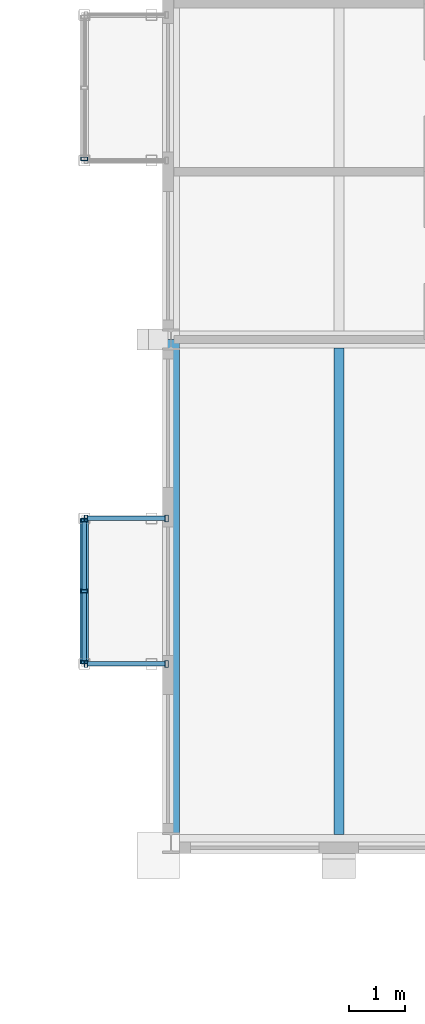
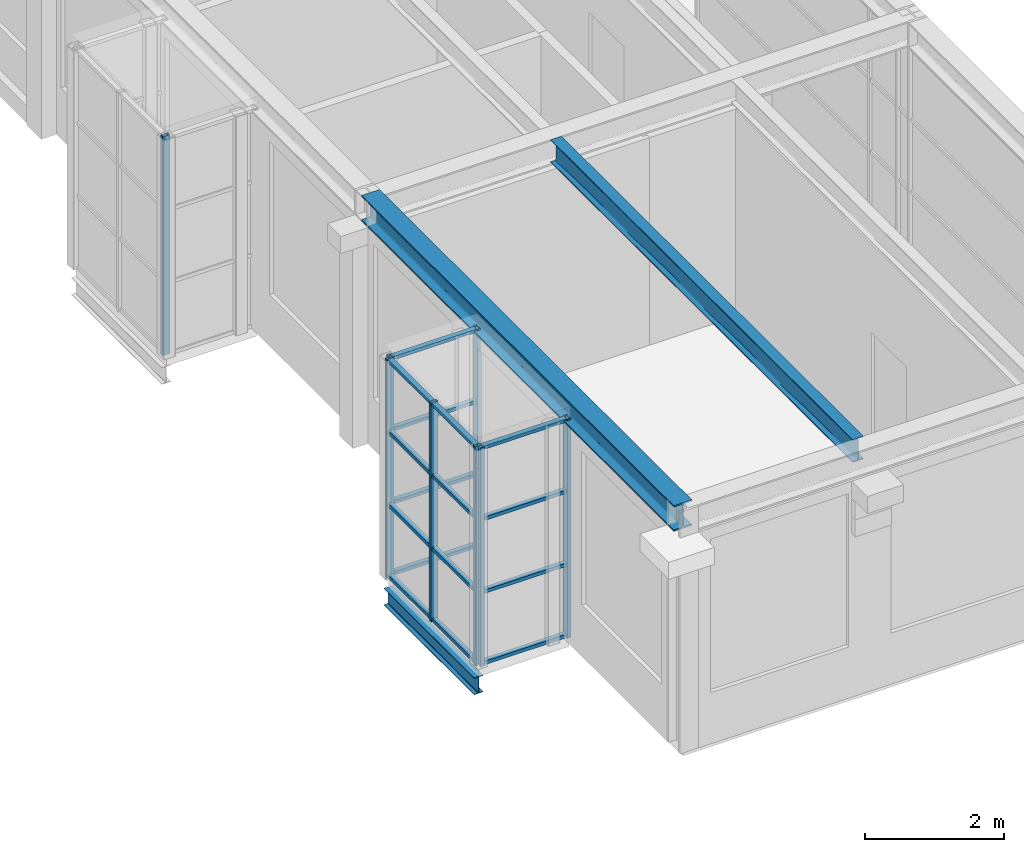
# One storey, part 17 of 111: 24 members, 3 beams, 4 elements without a shape of their own.
"""IFC4 building model written with IfcOpenShell, lengths in metres."""

import ifcopenshell
import ifcopenshell.guid

model = None  # the IFC model being written
_history = None  # IfcOwnerHistory: only IFC2X3 demands one
_inside = {}  # id of a spatial element -> (the spatial element, [elements in it])
_under = {}  # id of a project, library or spatial element -> (it, [spatial elements below it])
_declared = {}  # id of a project -> (the project, [libraries it declares])
_typed = {}  # id of a type object -> (the type object, [elements of that type])
_made_of = {}  # id of a material, layer set ... -> (it, [elements and type objects made of it])


def new_model(schema):
    """Start an empty IFC model of exactly this schema.

    Asked for "IFC4X3", IfcOpenShell would pick the latest addendum, in which some entities
    have other attributes; the version numbers below select the first issue.
    IFC2X3 requires an IfcOwnerHistory on every rooted entity: one is made here for all.
    """
    global model, _history
    if schema == "IFC4X3":
        model = ifcopenshell.file(schema_version=(4, 3, 0, 0))
    else:
        model = ifcopenshell.file(schema=schema)
    _inside.clear()
    _under.clear()
    _declared.clear()
    _typed.clear()
    _made_of.clear()
    _history = None
    if model.schema == "IFC2X3":
        org = make("IfcOrganization", Name="unknown")
        user = make(
            "IfcPersonAndOrganization",
            ThePerson=make("IfcPerson", FamilyName="unknown"),
            TheOrganization=org,
        )
        app = make(
            "IfcApplication",
            ApplicationDeveloper=org,
            Version="unknown",
            ApplicationFullName="unknown",
            ApplicationIdentifier="unknown",
        )
        _history = make(
            "IfcOwnerHistory",
            OwningUser=user,
            OwningApplication=app,
            ChangeAction="ADDED",
            CreationDate=0,
        )
    return model


def make(cls, **values):
    """One entity of the class cls with the attributes given. An attribute that is None is left unset."""
    return model.create_entity(
        cls, **{name: value for name, value in values.items() if value is not None}
    )


def rooted(cls, **values):
    """An entity with a GlobalId (a new one), such as an element, a storey or a relation."""
    return make(cls, GlobalId=ifcopenshell.guid.new(), OwnerHistory=_history, **values)


def si_unit(unit_type, name, prefix=None):
    """IfcSIUnit, for example si_unit("LENGTHUNIT", "METRE", prefix="MILLI")."""
    return make("IfcSIUnit", UnitType=unit_type, Prefix=prefix, Name=name)


def assignment(units):
    """IfcUnitAssignment: the units of a project."""
    return None if units is None else make("IfcUnitAssignment", Units=units)


def point(xyz):
    """IfcCartesianPoint."""
    return None if xyz is None else make("IfcCartesianPoint", Coordinates=xyz)


def direction(xyz):
    """IfcDirection."""
    return None if xyz is None else make("IfcDirection", DirectionRatios=xyz)


def frame(location, z_axis=None, x_axis=None):
    """IfcAxis2Placement3D, a coordinate frame: its origin and axes. An axis left out is left unset."""
    return make(
        "IfcAxis2Placement3D",
        Location=point(location),
        Axis=direction(z_axis),
        RefDirection=direction(x_axis),
    )


def frame_2d(location, x_axis=None):
    """IfcAxis2Placement2D, a coordinate frame in the plane: its origin and x axis."""
    return make(
        "IfcAxis2Placement2D", Location=point(location), RefDirection=direction(x_axis)
    )


def origin():
    """The frame at (0, 0, 0) with its axes left unset."""
    return frame((0.0, 0.0, 0.0))


def origin_2d():
    """The frame at (0, 0) in the plane with its x axis left unset."""
    return frame_2d((0.0, 0.0))


def place(relative_to, where):
    """IfcLocalPlacement: puts the frame where relative to a parent placement (None: the world)."""
    return make(
        "IfcLocalPlacement", PlacementRelTo=relative_to, RelativePlacement=where
    )


def context(
    kind, dimensions, precision=None, world=None, true_north=None, identifier=None
):
    """IfcGeometricRepresentationContext, for example the 3D "Model" context."""
    return make(
        "IfcGeometricRepresentationContext",
        ContextIdentifier=identifier,
        ContextType=kind,
        CoordinateSpaceDimension=dimensions,
        Precision=precision,
        WorldCoordinateSystem=world,
        TrueNorth=true_north,
    )


def subcontext(parent, identifier, kind, view, scale=None):
    """IfcGeometricRepresentationSubContext, for example "Body" below "Model"."""
    return make(
        "IfcGeometricRepresentationSubContext",
        ContextIdentifier=identifier,
        ContextType=kind,
        ParentContext=parent,
        TargetScale=scale,
        TargetView=view,
    )


def project(units=None, contexts=None):
    """IfcProject with its units and contexts."""
    return rooted(
        "IfcProject",
        Name="project",
        RepresentationContexts=contexts,
        UnitsInContext=assignment(units),
    )


def spatial(cls, under=None, at=None, **own):
    """A site, building, storey or space (cls), placed at a placement, below another one or the project."""
    s = rooted(cls, ObjectPlacement=at, **own)
    if under is not None:
        _under.setdefault(under.id(), (under, []))[1].append(s)
    return s


def profile(cls, at=None, kind="AREA", **sizes):
    """A parametric profile (cls). Its sizes go by their IFC names, for example OverallWidth=200.0."""
    return make(cls, ProfileType=kind, Position=at, **sizes)


def hollow_rectangle(**sizes):
    """IfcRectangleHollowProfileDef."""
    return profile("IfcRectangleHollowProfileDef", **sizes)


def i_section(**sizes):
    """IfcIShapeProfileDef."""
    return profile("IfcIShapeProfileDef", **sizes)


def extrude(swept, where, along, depth):
    """IfcExtrudedAreaSolid: the profile swept, set in the frame where, extruded along a direction by depth."""
    return make(
        "IfcExtrudedAreaSolid",
        SweptArea=swept,
        Position=where,
        ExtrudedDirection=direction(along),
        Depth=depth,
    )


def shape(context_of_items, identifier, shape_type, items):
    """IfcShapeRepresentation: the items that make up one representation, for example the "Body"."""
    return make(
        "IfcShapeRepresentation",
        ContextOfItems=context_of_items,
        RepresentationIdentifier=identifier,
        RepresentationType=shape_type,
        Items=items,
    )


def material(Name=None, Category=None):
    """IfcMaterial."""
    return make("IfcMaterial", Name=Name, Category=Category)


def material_profile(
    of_material, cross_section, Name=None, Category=None, Priority=None
):
    """IfcMaterialProfile: a cross section and its material."""
    return make(
        "IfcMaterialProfile",
        Name=Name,
        Material=of_material,
        Profile=cross_section,
        Priority=Priority,
        Category=Category,
    )


def profile_set(profiles, Name=None, composite=None):
    """IfcMaterialProfileSet."""
    return make(
        "IfcMaterialProfileSet",
        Name=Name,
        MaterialProfiles=profiles,
        CompositeProfile=composite,
    )


def made_of(thing, what):
    """Note that an element or type object is made of a material, layer set ...; save() writes the relation."""
    if what is not None:
        _made_of.setdefault(what.id(), (what, []))[1].append(thing)
    return thing


def type_object(cls, material=None, **own):
    """A type object (cls), such as IfcWallType, which elements share."""
    return made_of(rooted(cls, **own), material)


def element(
    cls,
    number,
    at=None,
    inside=None,
    cuts=None,
    type_object=None,
    material=None,
    context=None,
    identifier="Body",
    shape_type=None,
    held_by="IfcProductDefinitionShape",
    body=None,
    shapes=None,
    **own,
):
    """One element of the class cls, such as IfcWall. Its Tag is "e" and its number.

    at: its placement. inside: the storey or other place that contains it. cuts: it is an
    opening in that element (IfcRelVoidsElement). A single representation is given by context,
    identifier, shape_type and body (its items); several are given by shapes. held_by: the class
    of the entity that holds the representations. save() writes the other relations.
    """
    e = rooted(cls, Tag="e%d" % number, ObjectPlacement=at, **own)
    if body is not None:
        shapes = [shape(context, identifier, shape_type, body)]
    if shapes is not None:
        e.Representation = make(held_by, Representations=shapes)
    if inside is not None:
        _inside.setdefault(inside.id(), (inside, []))[1].append(e)
    if cuts is not None:
        rooted(
            "IfcRelVoidsElement", RelatingBuildingElement=cuts, RelatedOpeningElement=e
        )
    if type_object is not None:
        _typed.setdefault(type_object.id(), (type_object, []))[1].append(e)
    return made_of(e, material)


def aggregate(whole, parts):
    """IfcRelAggregates: a whole, such as a stair, and the parts it consists of."""
    return rooted("IfcRelAggregates", RelatingObject=whole, RelatedObjects=parts)


def save(model, path):
    """Write the relations noted so far, then the file.

    IfcRelAggregates (storeys below a building ...), IfcRelContainedInSpatialStructure (elements
    in a storey), IfcRelDefinesByType, IfcRelAssociatesMaterial and IfcRelDeclares: one each for
    every whole, place, type object, material and project.
    """
    for whole, parts in _under.values():
        aggregate(whole, parts)
    for where, things in _inside.values():
        rooted(
            "IfcRelContainedInSpatialStructure",
            RelatedElements=things,
            RelatingStructure=where,
        )
    for kind, things in _typed.values():
        rooted("IfcRelDefinesByType", RelatedObjects=things, RelatingType=kind)
    for what, things in _made_of.values():
        rooted("IfcRelAssociatesMaterial", RelatedObjects=things, RelatingMaterial=what)
    for by, libraries in _declared.values():
        rooted("IfcRelDeclares", RelatingContext=by, RelatedDefinitions=libraries)
    model.write(path)


model = new_model("IFC4")

# Units and contexts
model_context = context("Model", 3, precision=1e-05, world=origin(), true_north=direction((0.0, 1.0)))
body_context = subcontext(model_context, "Body", "Model", "MODEL_VIEW")
ifc_project = project(units=[si_unit("LENGTHUNIT", "METRE"), si_unit("AREAUNIT", "SQUARE_METRE"), si_unit("VOLUMEUNIT", "CUBIC_METRE"), si_unit("PLANEANGLEUNIT", "RADIAN"), si_unit("MASSUNIT", "GRAM", prefix="KILO")], contexts=[model_context])

# Site, building, storey
site_placement = place(None, origin())
site = spatial("IfcSite", under=ifc_project, at=site_placement, CompositionType="ELEMENT")
building_placement = place(site_placement, origin())
building = spatial("IfcBuilding", under=site, at=building_placement, Name="Kallimachos Central Library", CompositionType="ELEMENT")
storey_placement = place(building_placement, frame((0.0, 0.0, 14.39990234375)))
storey = spatial("IfcBuildingStorey", under=building, at=storey_placement, Name="L03", CompositionType="ELEMENT", Elevation=14.39990234375)

# Beams
ifc_material_1 = material(Name="Steel S355J2", Category="steel")
ifc_material_profile_1 = material_profile(ifc_material_1, i_section(OverallWidth=0.300048828125, OverallDepth=0.449951171875, WebThickness=0.013916015625, FlangeThickness=0.02587890625, FilletRadius=0.027099609375, at=origin_2d()), Name="HEB 450")
ifc_profile_set_1 = profile_set([ifc_material_profile_1], Name="Steel S355J2")
beam_type_1 = type_object("IfcBeamType", Name="HEB 450 beam", PredefinedType="BEAM", material=ifc_profile_set_1)
beam_1_placement = place(storey_placement, frame((65.5, 57.0, 4.025146484375), z_axis=(0.0, 1.0, 0.0), x_axis=(-1.0, 0.0, 0.0)))
element("IfcBeam", 1, at=beam_1_placement, inside=storey, type_object=beam_type_1, Name="V4-BEM-L03-023", PredefinedType="BEAM", context=body_context, shape_type="SweptSolid", body=[
    extrude(i_section(OverallWidth=0.300048828125, OverallDepth=0.449951171875, WebThickness=0.013916015625, FlangeThickness=0.02587890625, FilletRadius=0.027099609375, at=origin_2d()), origin(), (0.0, 0.0, 1.0), 9.0),
])
ifc_material_2 = material(Name="Steel S355J2", Category="steel")
ifc_material_profile_2 = material_profile(ifc_material_2, i_section(OverallWidth=0.14990234375, OverallDepth=0.300048828125, WebThickness=0.007080078125, FlangeThickness=0.0107421875, FilletRadius=0.014892578125, at=origin_2d()), Name="IPE 300")
ifc_profile_set_2 = profile_set([ifc_material_profile_2], Name="Steel S355J2")
beam_type_2 = type_object("IfcBeamType", Name="IPE 300 beam", PredefinedType="BEAM", material=ifc_profile_set_2)
beam_2_placement = place(storey_placement, frame((63.949951171875, 60.199951171875, -0.349853515625), z_axis=(0.0, 1.0, 0.0), x_axis=(-1.0, 0.0, 0.0)))
element("IfcBeam", 2, at=beam_2_placement, inside=storey, type_object=beam_type_2, Name="Tribune bay W1 edge beam L03", PredefinedType="BEAM", context=body_context, shape_type="SweptSolid", body=[
    extrude(i_section(OverallWidth=0.14990234375, OverallDepth=0.300048828125, WebThickness=0.007080078125, FlangeThickness=0.0107421875, FilletRadius=0.014892578125, at=origin_2d()), origin(), (0.0, 0.0, 1.0), 2.60009765625),
])
ifc_material_3 = material(Name="Steel S355J2", Category="steel")
ifc_material_profile_3 = material_profile(ifc_material_3, i_section(OverallWidth=0.179931640625, OverallDepth=0.39990234375, WebThickness=0.008544921875, FlangeThickness=0.013427734375, FilletRadius=0.02099609375, at=origin_2d()), Name="IPE 400")
ifc_profile_set_3 = profile_set([ifc_material_profile_3], Name="Steel S355J2")
beam_type_3 = type_object("IfcBeamType", Name="IPE 400 beam", PredefinedType="BEAM", material=ifc_profile_set_3)
beam_3_placement = place(storey_placement, frame((68.5, 57.14990234375, 4.050048828125), z_axis=(0.0, 1.0, 0.0), x_axis=(-1.0, 0.0, 0.0)))
element("IfcBeam", 3, at=beam_3_placement, inside=storey, type_object=beam_type_3, Name="V4-BEM-L03-027", PredefinedType="BEAM", context=body_context, shape_type="SweptSolid", body=[
    extrude(i_section(OverallWidth=0.179931640625, OverallDepth=0.39990234375, WebThickness=0.008544921875, FlangeThickness=0.013427734375, FilletRadius=0.02099609375, at=origin_2d()), origin(), (0.0, 0.0, 1.0), 8.7001953125),
])

# Curtain wall, members
ifc_material_4 = material(Name="Aluminium and laminated glass", Category="aluminium")
curtain_wall_type = type_object("IfcCurtainWallType", Name="Tribune bay glazed screen", PredefinedType="NOTDEFINED", material=ifc_material_4)
curtain_wall_1_placement = place(storey_placement, origin())
curtain_wall_1 = element("IfcCurtainWall", 4, at=curtain_wall_1_placement, inside=storey, type_object=curtain_wall_type, Name="Tribune bay W1 L03 front", PredefinedType="NOTDEFINED")
ifc_material_5 = material(Name="Anodised aluminium", Category="aluminium")
ifc_material_profile_4 = material_profile(ifc_material_5, hollow_rectangle(XDim=0.06005859375, YDim=0.1201171875, WallThickness=0.00390625, at=origin_2d()), Name="ALU MULLION 60x120")
ifc_profile_set_4 = profile_set([ifc_material_profile_4], Name="Anodised aluminium")
member_type_1 = type_object("IfcMemberType", Name="Tribune bay mullion", PredefinedType="MULLION", material=ifc_profile_set_4)
member_1_placement = place(storey_placement, frame((63.949951171875, 60.22998046875, 0.0), z_axis=(0.0, 0.0, 1.0), x_axis=(0.0, 1.0, 0.0)))
member_1 = element("IfcMember", 5, at=member_1_placement, type_object=member_type_1, Name="CW mullion 1", PredefinedType="MULLION", context=body_context, shape_type="SweptSolid", body=[
    extrude(hollow_rectangle(XDim=0.06005859375, YDim=0.1201171875, WallThickness=0.00390625, at=origin_2d()), origin(), (0.0, 0.0, 1.0), 3.85009765625),
])
member_2_placement = place(storey_placement, frame((63.949951171875, 61.5, 0.0), z_axis=(0.0, 0.0, 1.0), x_axis=(0.0, 1.0, 0.0)))
member_2 = element("IfcMember", 6, at=member_2_placement, type_object=member_type_1, Name="CW mullion 2", PredefinedType="MULLION", context=body_context, shape_type="SweptSolid", body=[
    extrude(hollow_rectangle(XDim=0.06005859375, YDim=0.1201171875, WallThickness=0.00390625, at=origin_2d()), origin(), (0.0, 0.0, 1.0), 3.85009765625),
])
member_3_placement = place(storey_placement, frame((63.949951171875, 62.77001953125, 0.0), z_axis=(0.0, 0.0, 1.0), x_axis=(0.0, 1.0, 0.0)))
member_3 = element("IfcMember", 7, at=member_3_placement, type_object=member_type_1, Name="CW mullion 3", PredefinedType="MULLION", context=body_context, shape_type="SweptSolid", body=[
    extrude(hollow_rectangle(XDim=0.06005859375, YDim=0.1201171875, WallThickness=0.00390625, at=origin_2d()), origin(), (0.0, 0.0, 1.0), 3.85009765625),
])

curtain_wall_2_placement = place(storey_placement, origin())
curtain_wall_2 = element("IfcCurtainWall", 8, at=curtain_wall_2_placement, inside=storey, type_object=curtain_wall_type, Name="Tribune bay W1 L03 return 1", PredefinedType="NOTDEFINED")
member_4_placement = place(storey_placement, frame((65.419921875, 60.199951171875, 0.0), z_axis=(0.0, 0.0, 1.0), x_axis=(-1.0, 0.0, 0.0)))
member_4 = element("IfcMember", 9, at=member_4_placement, type_object=member_type_1, Name="CW mullion 1", PredefinedType="MULLION", context=body_context, shape_type="SweptSolid", body=[
    extrude(hollow_rectangle(XDim=0.06005859375, YDim=0.1201171875, WallThickness=0.00390625, at=origin_2d()), origin(), (0.0, 0.0, 1.0), 3.85009765625),
])
member_5_placement = place(storey_placement, frame((63.97998046875, 60.199951171875, 0.0), z_axis=(0.0, 0.0, 1.0), x_axis=(-1.0, 0.0, 0.0)))
member_5 = element("IfcMember", 10, at=member_5_placement, type_object=member_type_1, Name="CW mullion 2", PredefinedType="MULLION", context=body_context, shape_type="SweptSolid", body=[
    extrude(hollow_rectangle(XDim=0.06005859375, YDim=0.1201171875, WallThickness=0.00390625, at=origin_2d()), origin(), (0.0, 0.0, 1.0), 3.85009765625),
])

curtain_wall_3_placement = place(storey_placement, origin())
curtain_wall_3 = element("IfcCurtainWall", 11, at=curtain_wall_3_placement, inside=storey, type_object=curtain_wall_type, Name="Tribune bay W1 L03 return 2", PredefinedType="NOTDEFINED")
member_6_placement = place(storey_placement, frame((65.419921875, 62.800048828125, 0.0), z_axis=(0.0, 0.0, 1.0), x_axis=(-1.0, 0.0, 0.0)))
member_6 = element("IfcMember", 12, at=member_6_placement, type_object=member_type_1, Name="CW mullion 1", PredefinedType="MULLION", context=body_context, shape_type="SweptSolid", body=[
    extrude(hollow_rectangle(XDim=0.06005859375, YDim=0.1201171875, WallThickness=0.00390625, at=origin_2d()), origin(), (0.0, 0.0, 1.0), 3.85009765625),
])
member_7_placement = place(storey_placement, frame((63.97998046875, 62.800048828125, 0.0), z_axis=(0.0, 0.0, 1.0), x_axis=(-1.0, 0.0, 0.0)))
member_7 = element("IfcMember", 13, at=member_7_placement, type_object=member_type_1, Name="CW mullion 2", PredefinedType="MULLION", context=body_context, shape_type="SweptSolid", body=[
    extrude(hollow_rectangle(XDim=0.06005859375, YDim=0.1201171875, WallThickness=0.00390625, at=origin_2d()), origin(), (0.0, 0.0, 1.0), 3.85009765625),
])

# Curtain wall, member
curtain_wall_4_placement = place(storey_placement, origin())
curtain_wall_4 = element("IfcCurtainWall", 14, at=curtain_wall_4_placement, inside=storey, type_object=curtain_wall_type, Name="Tribune bay W2 L03 front", PredefinedType="NOTDEFINED")
member_8_placement = place(storey_placement, frame((63.949951171875, 69.22998046875, 0.0), z_axis=(0.0, 0.0, 1.0), x_axis=(0.0, 1.0, 0.0)))
member_8 = element("IfcMember", 15, at=member_8_placement, type_object=member_type_1, Name="CW mullion 1", PredefinedType="MULLION", context=body_context, shape_type="SweptSolid", body=[
    extrude(hollow_rectangle(XDim=0.06005859375, YDim=0.1201171875, WallThickness=0.00390625, at=origin_2d()), origin(), (0.0, 0.0, 1.0), 3.85009765625),
])
aggregate(curtain_wall_4, [member_8])

# Member
ifc_material_6 = material(Name="Anodised aluminium", Category="aluminium")
ifc_material_profile_5 = material_profile(ifc_material_6, hollow_rectangle(XDim=0.06005859375, YDim=0.080078125, WallThickness=0.00390625, at=origin_2d()), Name="ALU TRANSOM 60x80")
ifc_profile_set_5 = profile_set([ifc_material_profile_5], Name="Anodised aluminium")
member_type_2 = type_object("IfcMemberType", Name="Tribune bay transom", PredefinedType="USERDEFINED", material=ifc_profile_set_5)
member_9_placement = place(storey_placement, frame((63.949951171875, 60.260009765625, 0.030029296875), z_axis=(0.0, 1.0, 0.0), x_axis=(0.0, 0.0, 1.0)))
member_9 = element("IfcMember", 16, at=member_9_placement, type_object=member_type_2, Name="CW transom 1.1", ObjectType="TRANSOM", PredefinedType="USERDEFINED", context=body_context, shape_type="SweptSolid", body=[
    extrude(hollow_rectangle(XDim=0.06005859375, YDim=0.080078125, WallThickness=0.00390625, at=origin_2d()), origin(), (0.0, 0.0, 1.0), 1.2099609375),
])

member_10_placement = place(storey_placement, frame((63.949951171875, 60.260009765625, 1.283447265625), z_axis=(0.0, 1.0, 0.0), x_axis=(0.0, 0.0, 1.0)))
member_10 = element("IfcMember", 17, at=member_10_placement, type_object=member_type_2, Name="CW transom 1.2", ObjectType="TRANSOM", PredefinedType="USERDEFINED", context=body_context, shape_type="SweptSolid", body=[
    extrude(hollow_rectangle(XDim=0.06005859375, YDim=0.080078125, WallThickness=0.00390625, at=origin_2d()), origin(), (0.0, 0.0, 1.0), 1.2099609375),
])

member_11_placement = place(storey_placement, frame((63.949951171875, 60.260009765625, 2.566650390625), z_axis=(0.0, 1.0, 0.0), x_axis=(0.0, 0.0, 1.0)))
member_11 = element("IfcMember", 18, at=member_11_placement, type_object=member_type_2, Name="CW transom 1.3", ObjectType="TRANSOM", PredefinedType="USERDEFINED", context=body_context, shape_type="SweptSolid", body=[
    extrude(hollow_rectangle(XDim=0.06005859375, YDim=0.080078125, WallThickness=0.00390625, at=origin_2d()), origin(), (0.0, 0.0, 1.0), 1.2099609375),
])

member_12_placement = place(storey_placement, frame((63.949951171875, 60.260009765625, 3.820068359375), z_axis=(0.0, 1.0, 0.0), x_axis=(0.0, 0.0, 1.0)))
member_12 = element("IfcMember", 19, at=member_12_placement, type_object=member_type_2, Name="CW transom 1.4", ObjectType="TRANSOM", PredefinedType="USERDEFINED", context=body_context, shape_type="SweptSolid", body=[
    extrude(hollow_rectangle(XDim=0.06005859375, YDim=0.080078125, WallThickness=0.00390625, at=origin_2d()), origin(), (0.0, 0.0, 1.0), 1.2099609375),
])

member_13_placement = place(storey_placement, frame((63.949951171875, 61.530029296875, 0.030029296875), z_axis=(0.0, 1.0, 0.0), x_axis=(0.0, 0.0, 1.0)))
member_13 = element("IfcMember", 20, at=member_13_placement, type_object=member_type_2, Name="CW transom 2.1", ObjectType="TRANSOM", PredefinedType="USERDEFINED", context=body_context, shape_type="SweptSolid", body=[
    extrude(hollow_rectangle(XDim=0.06005859375, YDim=0.080078125, WallThickness=0.00390625, at=origin_2d()), origin(), (0.0, 0.0, 1.0), 1.2099609375),
])

member_14_placement = place(storey_placement, frame((63.949951171875, 61.530029296875, 1.283447265625), z_axis=(0.0, 1.0, 0.0), x_axis=(0.0, 0.0, 1.0)))
member_14 = element("IfcMember", 21, at=member_14_placement, type_object=member_type_2, Name="CW transom 2.2", ObjectType="TRANSOM", PredefinedType="USERDEFINED", context=body_context, shape_type="SweptSolid", body=[
    extrude(hollow_rectangle(XDim=0.06005859375, YDim=0.080078125, WallThickness=0.00390625, at=origin_2d()), origin(), (0.0, 0.0, 1.0), 1.2099609375),
])

member_15_placement = place(storey_placement, frame((63.949951171875, 61.530029296875, 2.566650390625), z_axis=(0.0, 1.0, 0.0), x_axis=(0.0, 0.0, 1.0)))
member_15 = element("IfcMember", 22, at=member_15_placement, type_object=member_type_2, Name="CW transom 2.3", ObjectType="TRANSOM", PredefinedType="USERDEFINED", context=body_context, shape_type="SweptSolid", body=[
    extrude(hollow_rectangle(XDim=0.06005859375, YDim=0.080078125, WallThickness=0.00390625, at=origin_2d()), origin(), (0.0, 0.0, 1.0), 1.2099609375),
])

member_16_placement = place(storey_placement, frame((63.949951171875, 61.530029296875, 3.820068359375), z_axis=(0.0, 1.0, 0.0), x_axis=(0.0, 0.0, 1.0)))
member_16 = element("IfcMember", 23, at=member_16_placement, type_object=member_type_2, Name="CW transom 2.4", ObjectType="TRANSOM", PredefinedType="USERDEFINED", context=body_context, shape_type="SweptSolid", body=[
    extrude(hollow_rectangle(XDim=0.06005859375, YDim=0.080078125, WallThickness=0.00390625, at=origin_2d()), origin(), (0.0, 0.0, 1.0), 1.2099609375),
])

aggregate(curtain_wall_1, [member_1, member_2, member_3, member_9, member_10, member_11, member_12, member_13, member_14, member_15, member_16])

member_17_placement = place(storey_placement, frame((65.389892578125, 60.199951171875, 0.030029296875), z_axis=(-1.0, 0.0, 0.0), x_axis=(0.0, 0.0, 1.0)))
member_17 = element("IfcMember", 24, at=member_17_placement, type_object=member_type_2, Name="CW transom 1.1", ObjectType="TRANSOM", PredefinedType="USERDEFINED", context=body_context, shape_type="SweptSolid", body=[
    extrude(hollow_rectangle(XDim=0.06005859375, YDim=0.080078125, WallThickness=0.00390625, at=origin_2d()), origin(), (0.0, 0.0, 1.0), 1.3798828125),
])

member_18_placement = place(storey_placement, frame((65.389892578125, 60.199951171875, 1.283447265625), z_axis=(-1.0, 0.0, 0.0), x_axis=(0.0, 0.0, 1.0)))
member_18 = element("IfcMember", 25, at=member_18_placement, type_object=member_type_2, Name="CW transom 1.2", ObjectType="TRANSOM", PredefinedType="USERDEFINED", context=body_context, shape_type="SweptSolid", body=[
    extrude(hollow_rectangle(XDim=0.06005859375, YDim=0.080078125, WallThickness=0.00390625, at=origin_2d()), origin(), (0.0, 0.0, 1.0), 1.3798828125),
])

member_19_placement = place(storey_placement, frame((65.389892578125, 60.199951171875, 2.566650390625), z_axis=(-1.0, 0.0, 0.0), x_axis=(0.0, 0.0, 1.0)))
member_19 = element("IfcMember", 26, at=member_19_placement, type_object=member_type_2, Name="CW transom 1.3", ObjectType="TRANSOM", PredefinedType="USERDEFINED", context=body_context, shape_type="SweptSolid", body=[
    extrude(hollow_rectangle(XDim=0.06005859375, YDim=0.080078125, WallThickness=0.00390625, at=origin_2d()), origin(), (0.0, 0.0, 1.0), 1.3798828125),
])

member_20_placement = place(storey_placement, frame((65.389892578125, 60.199951171875, 3.820068359375), z_axis=(-1.0, 0.0, 0.0), x_axis=(0.0, 0.0, 1.0)))
member_20 = element("IfcMember", 27, at=member_20_placement, type_object=member_type_2, Name="CW transom 1.4", ObjectType="TRANSOM", PredefinedType="USERDEFINED", context=body_context, shape_type="SweptSolid", body=[
    extrude(hollow_rectangle(XDim=0.06005859375, YDim=0.080078125, WallThickness=0.00390625, at=origin_2d()), origin(), (0.0, 0.0, 1.0), 1.3798828125),
])

aggregate(curtain_wall_2, [member_4, member_5, member_17, member_18, member_19, member_20])

member_21_placement = place(storey_placement, frame((65.389892578125, 62.800048828125, 0.030029296875), z_axis=(-1.0, 0.0, 0.0), x_axis=(0.0, 0.0, 1.0)))
member_21 = element("IfcMember", 28, at=member_21_placement, type_object=member_type_2, Name="CW transom 1.1", ObjectType="TRANSOM", PredefinedType="USERDEFINED", context=body_context, shape_type="SweptSolid", body=[
    extrude(hollow_rectangle(XDim=0.06005859375, YDim=0.080078125, WallThickness=0.00390625, at=origin_2d()), origin(), (0.0, 0.0, 1.0), 1.3798828125),
])

member_22_placement = place(storey_placement, frame((65.389892578125, 62.800048828125, 1.283447265625), z_axis=(-1.0, 0.0, 0.0), x_axis=(0.0, 0.0, 1.0)))
member_22 = element("IfcMember", 29, at=member_22_placement, type_object=member_type_2, Name="CW transom 1.2", ObjectType="TRANSOM", PredefinedType="USERDEFINED", context=body_context, shape_type="SweptSolid", body=[
    extrude(hollow_rectangle(XDim=0.06005859375, YDim=0.080078125, WallThickness=0.00390625, at=origin_2d()), origin(), (0.0, 0.0, 1.0), 1.3798828125),
])

member_23_placement = place(storey_placement, frame((65.389892578125, 62.800048828125, 2.566650390625), z_axis=(-1.0, 0.0, 0.0), x_axis=(0.0, 0.0, 1.0)))
member_23 = element("IfcMember", 30, at=member_23_placement, type_object=member_type_2, Name="CW transom 1.3", ObjectType="TRANSOM", PredefinedType="USERDEFINED", context=body_context, shape_type="SweptSolid", body=[
    extrude(hollow_rectangle(XDim=0.06005859375, YDim=0.080078125, WallThickness=0.00390625, at=origin_2d()), origin(), (0.0, 0.0, 1.0), 1.3798828125),
])

member_24_placement = place(storey_placement, frame((65.389892578125, 62.800048828125, 3.820068359375), z_axis=(-1.0, 0.0, 0.0), x_axis=(0.0, 0.0, 1.0)))
member_24 = element("IfcMember", 31, at=member_24_placement, type_object=member_type_2, Name="CW transom 1.4", ObjectType="TRANSOM", PredefinedType="USERDEFINED", context=body_context, shape_type="SweptSolid", body=[
    extrude(hollow_rectangle(XDim=0.06005859375, YDim=0.080078125, WallThickness=0.00390625, at=origin_2d()), origin(), (0.0, 0.0, 1.0), 1.3798828125),
])

aggregate(curtain_wall_3, [member_6, member_7, member_21, member_22, member_23, member_24])

save(model, "model.ifc")
